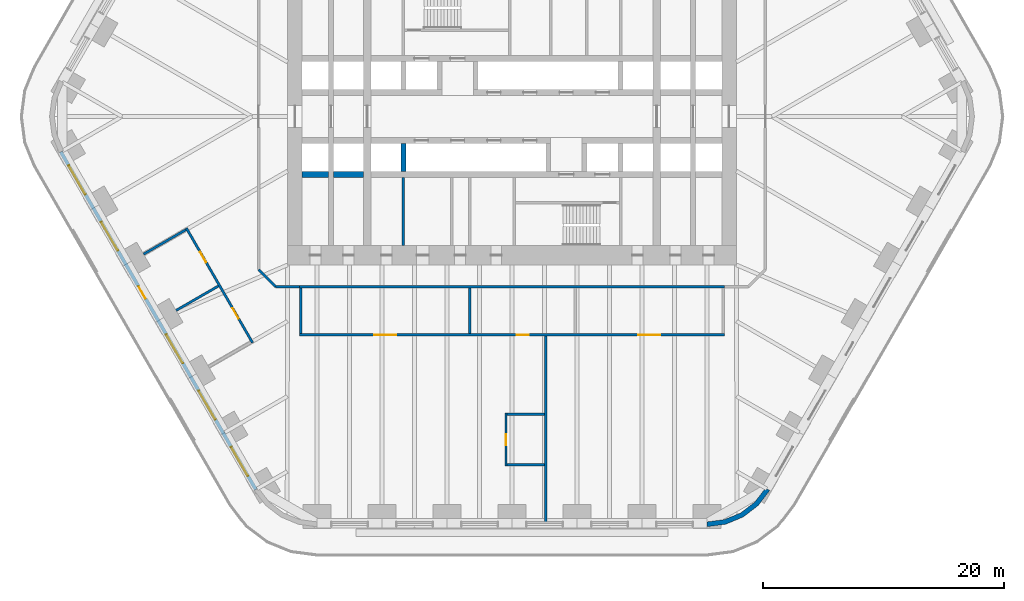
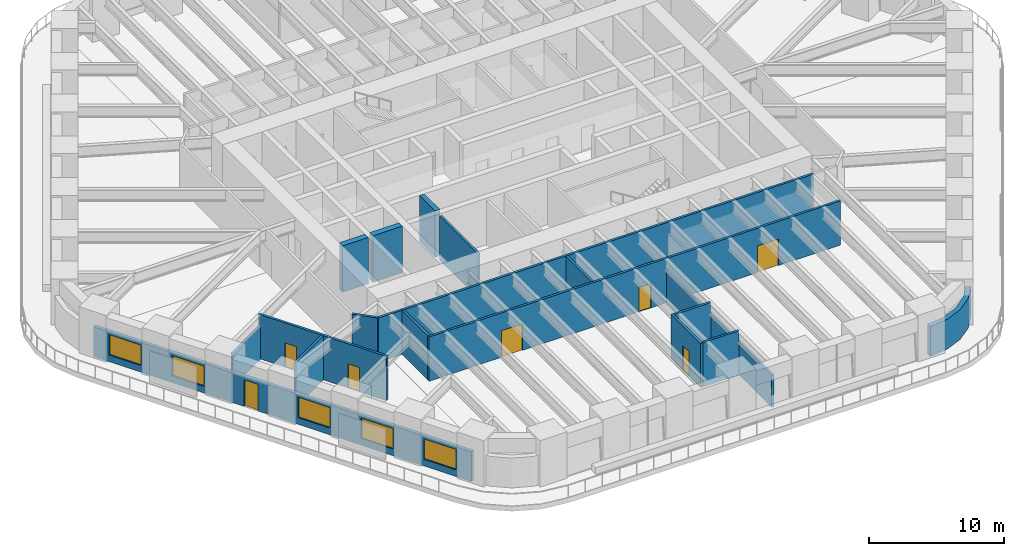
# One storey, part 16 of 23: 19 walls, 7 doors, 5 windows, 12 openings.
"""IFC4 building model written with IfcOpenShell, lengths in metres."""

from ifc_helpers import new_model, si_unit, direction, frame, frame_2d, origin, place, context, subcontext, project, spatial, polyline, rectangle, outline, extrude, material, layer, layer_set, type_object, element, fill, save


model = new_model("IFC4")

# Units and contexts
model_context = context("Model", 3, precision=1e-05, world=origin(), true_north=direction((0.0, 1.0)))
body_context = subcontext(model_context, "Body", "Model", "MODEL_VIEW")
ifc_project = project(units=[si_unit("LENGTHUNIT", "METRE"), si_unit("AREAUNIT", "SQUARE_METRE"), si_unit("VOLUMEUNIT", "CUBIC_METRE"), si_unit("PLANEANGLEUNIT", "RADIAN"), si_unit("MASSUNIT", "GRAM", prefix="KILO")], contexts=[model_context])

# Site, building, storey
site_placement = place(None, origin())
site = spatial("IfcSite", under=ifc_project, at=site_placement, CompositionType="ELEMENT")
building_placement = place(site_placement, origin())
building = spatial("IfcBuilding", under=site, at=building_placement, Name="Tarfa Lantern Tower", CompositionType="ELEMENT")
storey_placement = place(building_placement, frame((0.0, 0.0, 27.699951171875)))
storey = spatial("IfcBuildingStorey", under=building, at=storey_placement, Name="L05", CompositionType="ELEMENT", Elevation=27.699951171875)

# Wall, openings, door, windows
ifc_material_1 = material(Name="Limestone cladding on blockwork", Category="masonry")
ifc_layer_1 = layer(ifc_material_1, 0.300048828125)
ifc_layer_set_1 = layer_set([ifc_layer_1], Name="EW1 STONE-CLAD WALL 300")
wall_type_1 = type_object("IfcWallType", Name="EW1 STONE-CLAD WALL 300", PredefinedType="SOLIDWALL", material=ifc_layer_set_1)
wall_1_placement = place(storey_placement, frame((-37.39794921875, -2.925048828125, 0.0), z_axis=(0.0, 0.0, 1.0), x_axis=(0.499999163675, -0.866025886636, 0.0)))
wall_1 = element("IfcWall", 1, at=wall_1_placement, inside=storey, type_object=wall_type_1, Name="Stone wall SW", PredefinedType="SOLIDWALL", context=body_context, shape_type="SweptSolid", body=[
    extrude(rectangle(XDim=32.33154296875, YDim=0.300048828125, at=frame_2d((16.165771484375, 0.0))), origin(), (0.0, 0.0, 1.0), 2.699951171875),
])
opening_1_placement = place(wall_1_placement, frame((1.3193359375, 0.0, 0.60009765625)))
opening_1 = element("IfcOpeningElement", 2, at=opening_1_placement, cuts=wall_1, Name="Opening W2", PredefinedType="OPENING", context=body_context, shape_type="SweptSolid", body=[
    extrude(rectangle(XDim=2.75, YDim=1.85009765625, at=frame_2d((1.375, 0.925048828125))), frame((0.0, 0.159912109375, 0.0), z_axis=(0.0, -1.0, 0.0), x_axis=(1.0, 0.0, 0.0)), (0.0, 0.0, 1.0), 0.320068359375),
])
opening_2_placement = place(wall_1_placement, frame((6.7080078125, 0.0, 0.60009765625)))
opening_2 = element("IfcOpeningElement", 3, at=opening_2_placement, cuts=wall_1, Name="Opening W2", PredefinedType="OPENING", context=body_context, shape_type="SweptSolid", body=[
    extrude(rectangle(XDim=2.75, YDim=1.85009765625, at=frame_2d((1.375, 0.925048828125))), frame((0.0, 0.159912109375, 0.0), z_axis=(0.0, -1.0, 0.0), x_axis=(1.0, 0.0, 0.0)), (0.0, 0.0, 1.0), 0.320068359375),
])
opening_3_placement = place(wall_1_placement, frame((12.87158203125, 0.0, 0.0)))
opening_3 = element("IfcOpeningElement", 4, at=opening_3_placement, cuts=wall_1, Name="Opening D43", PredefinedType="OPENING", context=body_context, shape_type="SweptSolid", body=[
    extrude(rectangle(XDim=1.199951171875, YDim=2.39990234375, at=frame_2d((0.60009765625, 1.199951171875))), frame((0.0, 0.159912109375, 0.0), z_axis=(0.0, -1.0, 0.0), x_axis=(1.0, 0.0, 0.0)), (0.0, 0.0, 1.0), 0.320068359375),
])
opening_4_placement = place(wall_1_placement, frame((17.485107421875, 0.0, 0.60009765625)))
opening_4 = element("IfcOpeningElement", 5, at=opening_4_placement, cuts=wall_1, Name="Opening W2", PredefinedType="OPENING", context=body_context, shape_type="SweptSolid", body=[
    extrude(rectangle(XDim=2.75, YDim=1.85009765625, at=frame_2d((1.375, 0.925048828125))), frame((0.0, 0.159912109375, 0.0), z_axis=(0.0, -1.0, 0.0), x_axis=(1.0, 0.0, 0.0)), (0.0, 0.0, 1.0), 0.320068359375),
])
opening_5_placement = place(wall_1_placement, frame((22.873779296875, 0.0, 0.60009765625)))
opening_5 = element("IfcOpeningElement", 6, at=opening_5_placement, cuts=wall_1, Name="Opening W2", PredefinedType="OPENING", context=body_context, shape_type="SweptSolid", body=[
    extrude(rectangle(XDim=2.75, YDim=1.85009765625, at=frame_2d((1.375, 0.925048828125))), frame((0.0, 0.159912109375, 0.0), z_axis=(0.0, -1.0, 0.0), x_axis=(1.0, 0.0, 0.0)), (0.0, 0.0, 1.0), 0.320068359375),
])
opening_6_placement = place(wall_1_placement, frame((28.26220703125, 0.0, 0.60009765625)))
opening_6 = element("IfcOpeningElement", 7, at=opening_6_placement, cuts=wall_1, Name="Opening W2", PredefinedType="OPENING", context=body_context, shape_type="SweptSolid", body=[
    extrude(rectangle(XDim=2.75, YDim=1.85009765625, at=frame_2d((1.375, 0.925048828125))), frame((0.0, 0.159912109375, 0.0), z_axis=(0.0, -1.0, 0.0), x_axis=(1.0, 0.0, 0.0)), (0.0, 0.0, 1.0), 0.320068359375),
])
ifc_material_2 = material(Name="Aluminium framed glazed door", Category="aluminium")
door_type_1 = type_object("IfcDoorType", Name="BE3 BALCONY DOOR 1200x2400", OperationType="SINGLE_SWING_RIGHT", PredefinedType="DOOR", material=ifc_material_2)
door_1_placement = place(opening_3_placement, origin())
door_1 = element("IfcDoor", 8, at=door_1_placement, inside=storey, type_object=door_type_1, Name="Balcony door SW", OperationType="SINGLE_SWING_RIGHT", OverallHeight=2.39990234375, OverallWidth=1.199951171875, PredefinedType="DOOR", context=body_context, shape_type="SweptSolid", body=[
    extrude(rectangle(XDim=1.199951171875, YDim=2.39990234375, at=frame_2d((0.60009765625, 1.199951171875))), frame((0.0, 0.02490234375, 0.0), z_axis=(0.0, -1.0, 0.0), x_axis=(1.0, 0.0, 0.0)), (0.0, 0.0, 1.0), 0.050048828125),
])
fill(opening_3, door_1)
ifc_material_3 = material(Name="Aluminium frame, double glazed", Category="aluminium")
window_type = type_object("IfcWindowType", Name="W2 FULL-HEIGHT GLAZING 2750x1850", PartitioningType="SINGLE_PANEL", PredefinedType="WINDOW", material=ifc_material_3)
window_1_placement = place(opening_1_placement, origin())
window_1 = element("IfcWindow", 9, at=window_1_placement, inside=storey, type_object=window_type, Name="Window SW 1", OverallHeight=1.85009765625, OverallWidth=2.75, PartitioningType="SINGLE_PANEL", PredefinedType="WINDOW", context=body_context, shape_type="SweptSolid", body=[
    extrude(rectangle(XDim=2.75, YDim=1.85009765625, at=frame_2d((1.375, 0.925048828125))), frame((0.0, 0.030029296875, 0.0), z_axis=(0.0, -1.0, 0.0), x_axis=(1.0, 0.0, 0.0)), (0.0, 0.0, 1.0), 0.06005859375),
])
fill(opening_1, window_1)
window_2_placement = place(opening_2_placement, origin())
window_2 = element("IfcWindow", 10, at=window_2_placement, inside=storey, type_object=window_type, Name="Window SW 2", OverallHeight=1.85009765625, OverallWidth=2.75, PartitioningType="SINGLE_PANEL", PredefinedType="WINDOW", context=body_context, shape_type="SweptSolid", body=[
    extrude(rectangle(XDim=2.75, YDim=1.85009765625, at=frame_2d((1.375, 0.925048828125))), frame((0.0, 0.030029296875, 0.0), z_axis=(0.0, -1.0, 0.0), x_axis=(1.0, 0.0, 0.0)), (0.0, 0.0, 1.0), 0.06005859375),
])
fill(opening_2, window_2)
window_3_placement = place(opening_4_placement, origin())
window_3 = element("IfcWindow", 11, at=window_3_placement, inside=storey, type_object=window_type, Name="Window SW 4", OverallHeight=1.85009765625, OverallWidth=2.75, PartitioningType="SINGLE_PANEL", PredefinedType="WINDOW", context=body_context, shape_type="SweptSolid", body=[
    extrude(rectangle(XDim=2.75, YDim=1.85009765625, at=frame_2d((1.375, 0.925048828125))), frame((0.0, 0.030029296875, 0.0), z_axis=(0.0, -1.0, 0.0), x_axis=(1.0, 0.0, 0.0)), (0.0, 0.0, 1.0), 0.06005859375),
])
fill(opening_4, window_3)
window_4_placement = place(opening_5_placement, origin())
window_4 = element("IfcWindow", 12, at=window_4_placement, inside=storey, type_object=window_type, Name="Window SW 5", OverallHeight=1.85009765625, OverallWidth=2.75, PartitioningType="SINGLE_PANEL", PredefinedType="WINDOW", context=body_context, shape_type="SweptSolid", body=[
    extrude(rectangle(XDim=2.75, YDim=1.85009765625, at=frame_2d((1.375, 0.925048828125))), frame((0.0, 0.030029296875, 0.0), z_axis=(0.0, -1.0, 0.0), x_axis=(1.0, 0.0, 0.0)), (0.0, 0.0, 1.0), 0.06005859375),
])
fill(opening_5, window_4)
window_5_placement = place(opening_6_placement, origin())
window_5 = element("IfcWindow", 13, at=window_5_placement, inside=storey, type_object=window_type, Name="Window SW 6", OverallHeight=1.85009765625, OverallWidth=2.75, PartitioningType="SINGLE_PANEL", PredefinedType="WINDOW", context=body_context, shape_type="SweptSolid", body=[
    extrude(rectangle(XDim=2.75, YDim=1.85009765625, at=frame_2d((1.375, 0.925048828125))), frame((0.0, 0.030029296875, 0.0), z_axis=(0.0, -1.0, 0.0), x_axis=(1.0, 0.0, 0.0)), (0.0, 0.0, 1.0), 0.06005859375),
])
fill(opening_6, window_5)

# Walls
ifc_layer_2 = layer(ifc_material_1, 0.39990234375)
ifc_layer_set_2 = layer_set([ifc_layer_2], Name="EW2 CURVED STONE CORNER 400")
wall_type_2 = type_object("IfcWallType", Name="EW2 CURVED STONE CORNER 400", PredefinedType="SOLIDWALL", material=ifc_layer_set_2)
wall_2_placement = place(storey_placement, origin())
element("IfcWall", 14, at=wall_2_placement, inside=storey, type_object=wall_type_2, Name="Stone corner S-SE", PredefinedType="SOLIDWALL", context=body_context, shape_type="SweptSolid", body=[
    extrude(outline(polyline([(16.165771484375, -34.0), (17.71875, -33.795654296875), (19.165771484375, -33.196044921875), (20.408447265625, -32.24267578125), (21.362060546875, -31.0), (21.015625, -30.800048828125), (20.12548828125, -31.959716796875), (18.9658203125, -32.849853515625), (17.615234375, -33.4091796875), (16.165771484375, -33.60009765625), (16.165771484375, -34.0)])), origin(), (0.0, 0.0, 1.0), 2.699951171875),
])
ifc_material_4 = material(Name="Concrete blockwork", Category="masonry")
ifc_layer_3 = layer(ifc_material_4, 0.199951171875)
ifc_layer_set_3 = layer_set([ifc_layer_3], Name="IW1 BLOCKWORK PARTITION 200 EI 120")
wall_type_3 = type_object("IfcWallType", Name="IW1 BLOCKWORK PARTITION 200 EI 120", PredefinedType="PARTITIONING", material=ifc_layer_set_3)
wall_3_placement = place(storey_placement, frame((-9.0, -5.050048828125, 0.0), z_axis=(0.0, 0.0, 1.0), x_axis=(0.0, -1.0, 0.0)))
element("IfcWall", 15, at=wall_3_placement, inside=storey, type_object=wall_type_3, Name="Core partition", PredefinedType="PARTITIONING", context=body_context, shape_type="SweptSolid", body=[
    extrude(rectangle(XDim=5.64990234375, YDim=0.199951171875, at=frame_2d((2.824951171875, 0.0))), origin(), (0.0, 0.0, 1.0), 4.0),
])
ifc_material_5 = material(Name="Gypsum board on steel studs", Category="steel")
ifc_layer_4 = layer(ifc_material_5, 0.2099609375)
ifc_layer_set_4 = layer_set([ifc_layer_4], Name="IW2 ACOUSTIC PARTITION 200")
wall_type_4 = type_object("IfcWallType", Name="IW2 ACOUSTIC PARTITION 200", PredefinedType="PARTITIONING", material=ifc_layer_set_4)
wall_4_placement = place(storey_placement, frame((17.60009765625, -14.10009765625, 0.0), z_axis=(0.0, 0.0, 1.0), x_axis=(-1.0, 0.0, 0.0)))
element("IfcWall", 16, at=wall_4_placement, inside=storey, type_object=wall_type_4, Name="Partition", PredefinedType="PARTITIONING", context=body_context, shape_type="SweptSolid", body=[
    extrude(rectangle(XDim=35.2001953125, YDim=0.199951171875, at=frame_2d((17.60009765625, 0.0))), origin(), (0.0, 0.0, 1.0), 4.0),
])

# Wall, openings, doors
wall_5_placement = place(storey_placement, frame((17.60009765625, -18.10009765625, 0.0), z_axis=(0.0, 0.0, 1.0), x_axis=(-1.0, 0.0, 0.0)))
wall_5 = element("IfcWall", 17, at=wall_5_placement, inside=storey, type_object=wall_type_4, Name="Partition", PredefinedType="PARTITIONING", context=body_context, shape_type="SweptSolid", body=[
    extrude(rectangle(XDim=35.2001953125, YDim=0.199951171875, at=frame_2d((17.60009765625, 0.0))), origin(), (0.0, 0.0, 1.0), 4.0),
])
opening_7_placement = place(wall_5_placement, frame((5.324951171875, 0.0, 0.0)))
opening_7 = element("IfcOpeningElement", 18, at=opening_7_placement, cuts=wall_5, Name="Opening D34", PredefinedType="OPENING", context=body_context, shape_type="SweptSolid", body=[
    extrude(rectangle(XDim=1.800048828125, YDim=2.39990234375, at=frame_2d((0.89990234375, 1.199951171875))), frame((0.0, 0.10986328125, 0.0), z_axis=(0.0, -1.0, 0.0), x_axis=(1.0, 0.0, 0.0)), (0.0, 0.0, 1.0), 0.219970703125),
])
opening_8_placement = place(wall_5_placement, frame((16.22509765625, 0.0, 0.0)))
opening_8 = element("IfcOpeningElement", 19, at=opening_8_placement, cuts=wall_5, Name="Opening D35", PredefinedType="OPENING", context=body_context, shape_type="SweptSolid", body=[
    extrude(rectangle(XDim=1.0, YDim=2.199951171875, at=frame_2d((0.5, 1.10009765625))), frame((0.0, 0.10986328125, 0.0), z_axis=(0.0, -1.0, 0.0), x_axis=(1.0, 0.0, 0.0)), (0.0, 0.0, 1.0), 0.219970703125),
])
opening_9_placement = place(wall_5_placement, frame((27.199951171875, 0.0, 0.0)))
opening_9 = element("IfcOpeningElement", 20, at=opening_9_placement, cuts=wall_5, Name="Opening D36", PredefinedType="OPENING", context=body_context, shape_type="SweptSolid", body=[
    extrude(rectangle(XDim=1.800048828125, YDim=2.39990234375, at=frame_2d((0.89990234375, 1.199951171875))), frame((0.0, 0.10986328125, 0.0), z_axis=(0.0, -1.0, 0.0), x_axis=(1.0, 0.0, 0.0)), (0.0, 0.0, 1.0), 0.219970703125),
])
ifc_material_6 = material(Name="Timber door", Category="wood")
door_type_2 = type_object("IfcDoorType", Name="DR1 ROOM DOOR 1000x2200", OperationType="SINGLE_SWING_LEFT", PredefinedType="DOOR", material=ifc_material_6)
door_2_placement = place(opening_8_placement, frame((1.0, 0.0, 0.0), z_axis=(0.0, 0.0, 1.0), x_axis=(-1.0, 0.0, 0.0)))
door_2 = element("IfcDoor", 21, at=door_2_placement, inside=storey, type_object=door_type_2, Name="Print room door", OperationType="SINGLE_SWING_LEFT", OverallHeight=2.199951171875, OverallWidth=1.0, PredefinedType="DOOR", context=body_context, shape_type="SweptSolid", body=[
    extrude(rectangle(XDim=1.0, YDim=2.199951171875, at=frame_2d((0.5, 1.10009765625))), frame((0.0, 0.02490234375, 0.0), z_axis=(0.0, -1.0, 0.0), x_axis=(1.0, 0.0, 0.0)), (0.0, 0.0, 1.0), 0.050048828125),
])
fill(opening_8, door_2)
door_type_3 = type_object("IfcDoorType", Name="DR2 ROOM DOOR 1800x2400", OperationType="DOUBLE_DOOR_SINGLE_SWING", PredefinedType="DOOR", material=ifc_material_6)
door_3_placement = place(opening_7_placement, frame((1.800048828125, 0.0, 0.0), z_axis=(0.0, 0.0, 1.0), x_axis=(-1.0, 0.0, 0.0)))
door_3 = element("IfcDoor", 22, at=door_3_placement, inside=storey, type_object=door_type_3, Name="Quiet room door", OperationType="DOUBLE_DOOR_SINGLE_SWING", OverallHeight=2.39990234375, OverallWidth=1.800048828125, PredefinedType="DOOR", context=body_context, shape_type="SweptSolid", body=[
    extrude(rectangle(XDim=1.800048828125, YDim=2.39990234375, at=frame_2d((0.89990234375, 1.199951171875))), frame((0.0, 0.02490234375, 0.0), z_axis=(0.0, -1.0, 0.0), x_axis=(1.0, 0.0, 0.0)), (0.0, 0.0, 1.0), 0.050048828125),
])
fill(opening_7, door_3)
door_4_placement = place(opening_9_placement, frame((1.800048828125, 0.0, 0.0), z_axis=(0.0, 0.0, 1.0), x_axis=(-1.0, 0.0, 0.0)))
door_4 = element("IfcDoor", 23, at=door_4_placement, inside=storey, type_object=door_type_3, Name="Pantry door", OperationType="DOUBLE_DOOR_SINGLE_SWING", OverallHeight=2.39990234375, OverallWidth=1.800048828125, PredefinedType="DOOR", context=body_context, shape_type="SweptSolid", body=[
    extrude(rectangle(XDim=1.800048828125, YDim=2.39990234375, at=frame_2d((0.89990234375, 1.199951171875))), frame((0.0, 0.02490234375, 0.0), z_axis=(0.0, -1.0, 0.0), x_axis=(1.0, 0.0, 0.0)), (0.0, 0.0, 1.0), 0.050048828125),
])
fill(opening_9, door_4)

# Walls
for number, where, z_axis, x_axis, name in (
    (24, (-3.5, -14.199951171875, 0.0), (0.0, 0.0, 1.0), (0.0, -1.0, 0.0), "Partition"),
    (25, (-17.5, -14.199951171875, 0.0), (0.0, 0.0, 1.0), (0.0, -1.0, 0.0), "Partition"),
):
    element("IfcWall", number, at=place(storey_placement, frame(where, z_axis=z_axis, x_axis=x_axis)), inside=storey, type_object=wall_type_4, Name=name, PredefinedType="PARTITIONING", context=body_context, shape_type="SweptSolid", body=[
        extrude(rectangle(XDim=3.800048828125, YDim=0.199951171875, at=frame_2d((1.89990234375, 0.0))), origin(), (0.0, 0.0, 1.0), 4.0),
    ])

# Wall, openings, doors
wall_6_placement = place(storey_placement, frame((-26.992919921875, -9.246826171875, 0.0), z_axis=(0.0, 0.0, 1.0), x_axis=(0.500002255551, -0.866024101537, 0.0)))
wall_6 = element("IfcWall", 26, at=wall_6_placement, inside=storey, type_object=wall_type_4, Name="Partition", PredefinedType="PARTITIONING", context=body_context, shape_type="SweptSolid", body=[
    extrude(rectangle(XDim=10.97705078125, YDim=0.199951171875, at=frame_2d((5.488525390625, 0.0))), origin(), (0.0, 0.0, 1.0), 4.0),
])
opening_10_placement = place(wall_6_placement, frame((2.294189453125, 0.0, 0.0)))
opening_10 = element("IfcOpeningElement", 27, at=opening_10_placement, cuts=wall_6, Name="Opening D30", PredefinedType="OPENING", context=body_context, shape_type="SweptSolid", body=[
    extrude(rectangle(XDim=1.0, YDim=2.199951171875, at=frame_2d((0.5, 1.10009765625))), frame((0.0, 0.10986328125, 0.0), z_axis=(0.0, -1.0, 0.0), x_axis=(1.0, 0.0, 0.0)), (0.0, 0.0, 1.0), 0.219970703125),
])
opening_11_placement = place(wall_6_placement, frame((7.682861328125, 0.0, 0.0)))
opening_11 = element("IfcOpeningElement", 28, at=opening_11_placement, cuts=wall_6, Name="Opening D31", PredefinedType="OPENING", context=body_context, shape_type="SweptSolid", body=[
    extrude(rectangle(XDim=1.0, YDim=2.199951171875, at=frame_2d((0.5, 1.10009765625))), frame((0.0, 0.10986328125, 0.0), z_axis=(0.0, -1.0, 0.0), x_axis=(1.0, 0.0, 0.0)), (0.0, 0.0, 1.0), 0.219970703125),
])
door_5_placement = place(opening_10_placement, frame((1.0, 0.0, 0.0), z_axis=(0.0, 0.0, 1.0), x_axis=(-1.0, 0.0, 0.0)))
door_5 = element("IfcDoor", 29, at=door_5_placement, inside=storey, type_object=door_type_2, Name="Communications room door", OperationType="SINGLE_SWING_LEFT", OverallHeight=2.199951171875, OverallWidth=1.0, PredefinedType="DOOR", context=body_context, shape_type="SweptSolid", body=[
    extrude(rectangle(XDim=1.0, YDim=2.199951171875, at=frame_2d((0.5, 1.10009765625))), frame((0.0, 0.02490234375, 0.0), z_axis=(0.0, -1.0, 0.0), x_axis=(1.0, 0.0, 0.0)), (0.0, 0.0, 1.0), 0.050048828125),
])
fill(opening_10, door_5)
door_6_placement = place(opening_11_placement, frame((1.0, 0.0, 0.0), z_axis=(0.0, 0.0, 1.0), x_axis=(-1.0, 0.0, 0.0)))
door_6 = element("IfcDoor", 30, at=door_6_placement, inside=storey, type_object=door_type_2, Name="Equipment room door", OperationType="SINGLE_SWING_RIGHT", OverallHeight=2.199951171875, OverallWidth=1.0, PredefinedType="DOOR", context=body_context, shape_type="SweptSolid", body=[
    extrude(rectangle(XDim=1.0, YDim=2.199951171875, at=frame_2d((0.5, 1.10009765625))), frame((0.0, 0.02490234375, 0.0), z_axis=(0.0, -1.0, 0.0), x_axis=(1.0, 0.0, 0.0)), (0.0, 0.0, 1.0), 0.050048828125),
])
fill(opening_11, door_6)

# Walls
wall_7_placement = place(storey_placement, frame((-27.029541015625, -9.38330078125, 0.0), z_axis=(0.0, 0.0, 1.0), x_axis=(-0.866019956843, -0.50000943426, 0.0)))
element("IfcWall", 31, at=wall_7_placement, inside=storey, type_object=wall_type_4, Name="Partition", PredefinedType="PARTITIONING", context=body_context, shape_type="SweptSolid", body=[
    extrude(rectangle(XDim=4.05029296875, YDim=0.199951171875, at=frame_2d((2.025146484375, 0.0))), origin(), (0.0, 0.0, 1.0), 2.944091796875),
])
wall_8_placement = place(storey_placement, frame((-24.335205078125, -14.050048828125, 0.0), z_axis=(0.0, 0.0, 1.0), x_axis=(-0.866046058097, -0.499964223975, 0.0)))
element("IfcWall", 32, at=wall_8_placement, inside=storey, type_object=wall_type_4, Name="Partition", PredefinedType="PARTITIONING", context=body_context, shape_type="SweptSolid", body=[
    extrude(rectangle(XDim=4.050048828125, YDim=0.199951171875, at=frame_2d((2.02490234375, 0.0))), origin(), (0.0, 0.0, 1.0), 4.0),
])
wall_9_placement = place(storey_placement, frame((-17.60009765625, -14.10009765625, 0.0), z_axis=(0.0, 0.0, 1.0), x_axis=(-1.0, 0.0, 0.0)))
element("IfcWall", 33, at=wall_9_placement, inside=storey, type_object=wall_type_4, Name="Partition", PredefinedType="PARTITIONING", context=body_context, shape_type="SweptSolid", body=[
    extrude(rectangle(XDim=2.0, YDim=0.199951171875, at=frame_2d((1.0, 0.0))), origin(), (0.0, 0.0, 1.0), 4.0),
])
wall_10_placement = place(storey_placement, frame((-19.60009765625, -14.10009765625, 0.0), z_axis=(0.0, 0.0, 1.0), x_axis=(-0.707045124756, 0.707168432242, 0.0)))
element("IfcWall", 34, at=wall_10_placement, inside=storey, type_object=wall_type_4, Name="Partition", PredefinedType="PARTITIONING", context=body_context, shape_type="SweptSolid", body=[
    extrude(rectangle(XDim=1.97998046875, YDim=0.199951171875, at=frame_2d((0.989990234375, 0.0))), origin(), (0.0, 0.0, 1.0), 4.0),
])
wall_11_placement = place(storey_placement, frame((2.800048828125, -18.199951171875, 0.0), z_axis=(0.0, 0.0, 1.0), x_axis=(0.0, -1.0, 0.0)))
element("IfcWall", 35, at=wall_11_placement, inside=storey, type_object=wall_type_4, Name="Partition", PredefinedType="PARTITIONING", context=body_context, shape_type="SweptSolid", body=[
    extrude(rectangle(XDim=15.60009765625, YDim=0.199951171875, at=frame_2d((7.800048828125, 0.0))), origin(), (0.0, 0.0, 1.0), 2.944091796875),
])

# Wall, opening, door
wall_12_placement = place(storey_placement, frame((-0.5, -24.580078125, 0.0), z_axis=(0.0, 0.0, 1.0), x_axis=(0.0, -1.0, 0.0)))
wall_12 = element("IfcWall", 36, at=wall_12_placement, inside=storey, type_object=wall_type_4, Name="Partition", PredefinedType="PARTITIONING", context=body_context, shape_type="SweptSolid", body=[
    extrude(rectangle(XDim=4.39990234375, YDim=0.199951171875, at=frame_2d((2.199951171875, 0.0))), origin(), (0.0, 0.0, 1.0), 4.0),
])
opening_12_placement = place(wall_12_placement, frame((1.75, 0.0, 0.0)))
opening_12 = element("IfcOpeningElement", 37, at=opening_12_placement, cuts=wall_12, Name="Opening D37", PredefinedType="OPENING", context=body_context, shape_type="SweptSolid", body=[
    extrude(rectangle(XDim=0.89990234375, YDim=2.199951171875, at=frame_2d((0.449951171875, 1.10009765625))), frame((0.0, 0.10986328125, 0.0), z_axis=(0.0, -1.0, 0.0), x_axis=(1.0, 0.0, 0.0)), (0.0, 0.0, 1.0), 0.219970703125),
])
door_type_4 = type_object("IfcDoorType", Name="DR3 ROOM DOOR 900x2200", OperationType="SINGLE_SWING_LEFT", PredefinedType="DOOR", material=ifc_material_6)
door_7_placement = place(opening_12_placement, origin())
door_7 = element("IfcDoor", 38, at=door_7_placement, inside=storey, type_object=door_type_4, Name="Breakout pantry door", OperationType="SINGLE_SWING_RIGHT", OverallHeight=2.199951171875, OverallWidth=0.89990234375, PredefinedType="DOOR", context=body_context, shape_type="SweptSolid", body=[
    extrude(rectangle(XDim=0.89990234375, YDim=2.199951171875, at=frame_2d((0.449951171875, 1.10009765625))), frame((0.0, 0.02490234375, 0.0), z_axis=(0.0, -1.0, 0.0), x_axis=(1.0, 0.0, 0.0)), (0.0, 0.0, 1.0), 0.050048828125),
])
fill(opening_12, door_7)

# Walls
for number, where, z_axis, x_axis, name in (
    (39, (2.699951171875, -24.679931640625, 0.0), (0.0, 0.0, 1.0), (-1.0, 0.0, 0.0), "Partition"),
    (40, (2.699951171875, -28.8798828125, 0.0), (0.0, 0.0, 1.0), (-1.0, 0.0, 0.0), "Partition"),
):
    element("IfcWall", number, at=place(storey_placement, frame(where, z_axis=z_axis, x_axis=x_axis)), inside=storey, type_object=wall_type_4, Name=name, PredefinedType="PARTITIONING", context=body_context, shape_type="SweptSolid", body=[
        extrude(rectangle(XDim=3.099853515625, YDim=0.199951171875, at=frame_2d((1.5498046875, 0.0))), origin(), (0.0, 0.0, 1.0), 4.0),
    ])
ifc_material_7 = material(Name="Concrete C80/95", Category="concrete")
ifc_layer_5 = layer(ifc_material_7, 0.5)
ifc_layer_set_5 = layer_set([ifc_layer_5], Name="SW5 CORE WALL 500")
wall_type_5 = type_object("IfcWallType", Name="SW5 CORE WALL 500", PredefinedType="SHEAR", material=ifc_layer_set_5)
wall_13_placement = place(storey_placement, frame((-12.300048828125, -4.800048828125, 0.0), z_axis=(0.0, 0.0, 1.0), x_axis=(-1.0, 0.0, 0.0)))
element("IfcWall", 41, at=wall_13_placement, inside=storey, type_object=wall_type_5, Name="Core wall rear S", PredefinedType="SHEAR", context=body_context, shape_type="SweptSolid", body=[
    extrude(rectangle(XDim=2.5, YDim=0.5, at=frame_2d((1.25, 0.0))), origin(), (0.0, 0.0, 1.0), 4.199951171875),
])
wall_14_placement = place(storey_placement, frame((-15.199951171875, -4.800048828125, 0.0), z_axis=(0.0, 0.0, 1.0), x_axis=(-1.0, 0.0, 0.0)))
element("IfcWall", 42, at=wall_14_placement, inside=storey, type_object=wall_type_5, Name="Core wall rear S", PredefinedType="SHEAR", context=body_context, shape_type="SweptSolid", body=[
    extrude(rectangle(XDim=2.199951171875, YDim=0.5, at=frame_2d((1.10009765625, 0.0))), origin(), (0.0, 0.0, 1.0), 4.199951171875),
])
ifc_layer_6 = layer(ifc_material_7, 0.39990234375)
ifc_layer_set_6 = layer_set([ifc_layer_6], Name="SW6 CORE WALL 400")
wall_type_6 = type_object("IfcWallType", Name="SW6 CORE WALL 400", PredefinedType="SHEAR", material=ifc_layer_set_6)
wall_15_placement = place(storey_placement, frame((-9.0, -2.25, 0.0), z_axis=(0.0, 0.0, 1.0), x_axis=(0.0, -1.0, 0.0)))
element("IfcWall", 43, at=wall_15_placement, inside=storey, type_object=wall_type_6, Name="Core wall divider S", PredefinedType="SHEAR", context=body_context, shape_type="SweptSolid", body=[
    extrude(rectangle(XDim=2.300048828125, YDim=0.39990234375, at=frame_2d((1.14990234375, 0.0))), origin(), (0.0, 0.0, 1.0), 4.199951171875),
])

save(model, "model.ifc")
